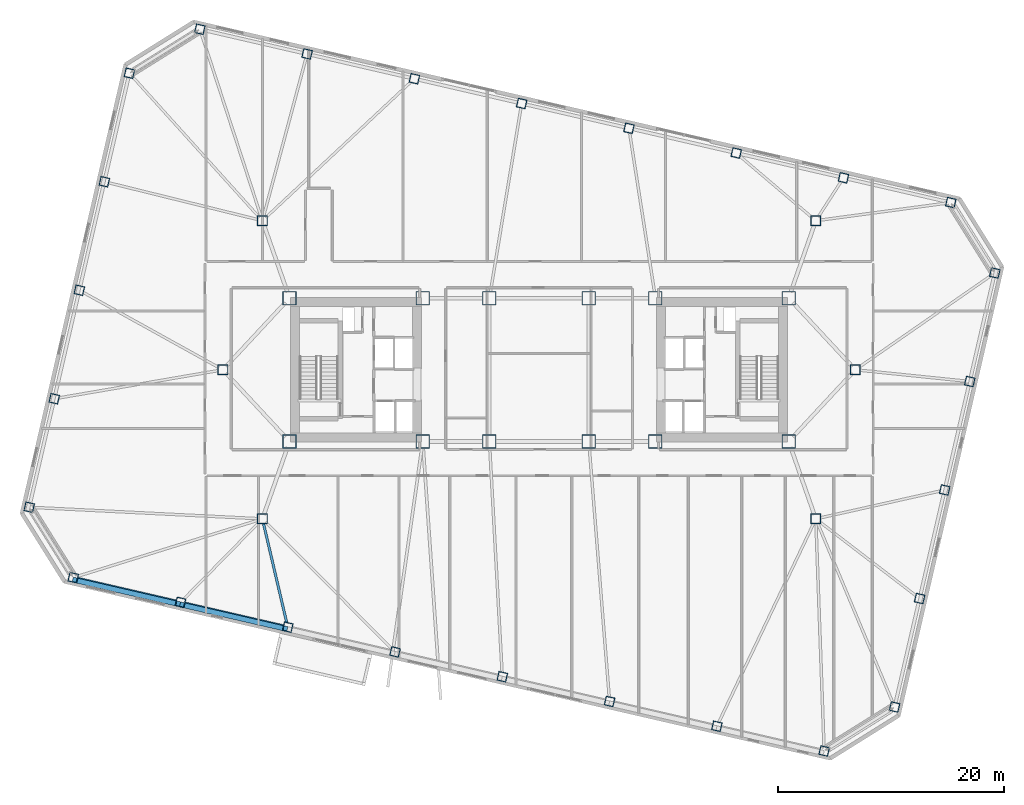
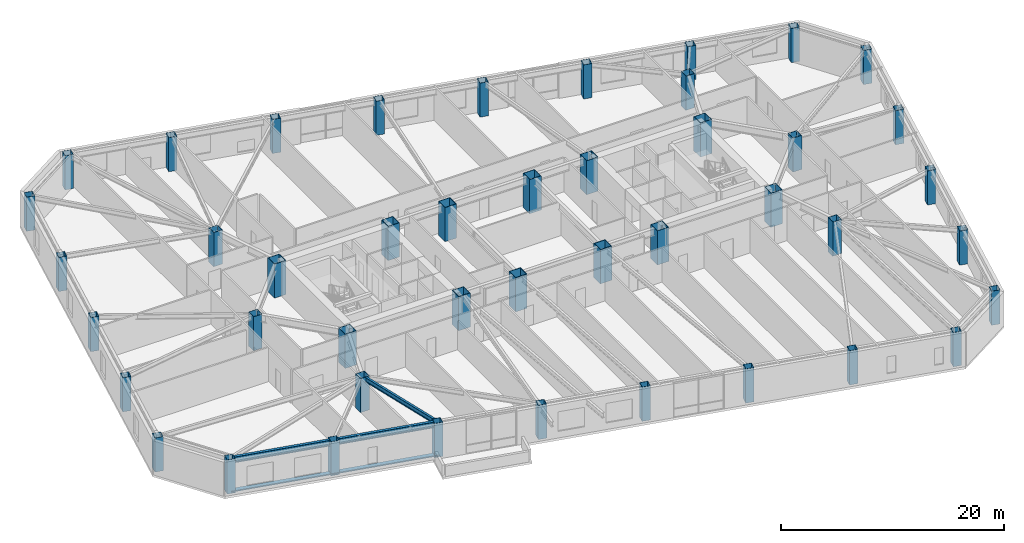
# One storey, part 1 of 22: 44 columns, 3 beams, 2 members.
"""IFC4 building model written with IfcOpenShell, lengths in metres."""

from ifc_helpers import new_model, si_unit, direction, frame, origin, origin_2d, place, context, subcontext, project, spatial, rectangle, hollow_rectangle, i_section, extrude, material, material_profile, profile_set, type_object, element, save


model = new_model("IFC4")

# Units and contexts
model_context = context("Model", 3, precision=1e-05, world=origin(), true_north=direction((0.0, 1.0)))
body_context = subcontext(model_context, "Body", "Model", "MODEL_VIEW")
ifc_project = project(units=[si_unit("LENGTHUNIT", "METRE"), si_unit("AREAUNIT", "SQUARE_METRE"), si_unit("VOLUMEUNIT", "CUBIC_METRE"), si_unit("PLANEANGLEUNIT", "RADIAN"), si_unit("MASSUNIT", "GRAM", prefix="KILO")], contexts=[model_context])

# Site, building, storey
site_placement = place(None, origin())
site = spatial("IfcSite", under=ifc_project, at=site_placement, CompositionType="ELEMENT")
building_placement = place(site_placement, origin())
building = spatial("IfcBuilding", under=site, at=building_placement, Name="Tavrogorsk Clinical Tower", CompositionType="ELEMENT")
storey_placement = place(building_placement, frame((0.0, 0.0, 55.39990234375)))
storey = spatial("IfcBuildingStorey", under=building, at=storey_placement, Name="L11", CompositionType="ELEMENT", Elevation=55.39990234375)

# Columns
ifc_material_1 = material(Name="Structural steel S440", Category="steel")
ifc_material_profile_1 = material_profile(ifc_material_1, hollow_rectangle(XDim=1.199951171875, YDim=1.199951171875, WallThickness=0.050048828125, at=origin_2d()), Name="BOX-1200x1200x50")
ifc_profile_set_1 = profile_set([ifc_material_profile_1], Name="Structural steel S440")
column_type_1 = type_object("IfcColumnType", Name="MegaCol_BOX1200", PredefinedType="COLUMN", material=ifc_profile_set_1)
for number, where, z_axis, x_axis, name in (
    (1, (-22.10009765625, -6.35009765625, 0.0), (0.0, 0.0, 1.0), (1.0, 0.0, 0.0), "L11 Mega Column MC-W1"),
    (2, (-22.10009765625, 6.35009765625, 0.0), (0.0, 0.0, 1.0), (1.0, 0.0, 0.0), "L11 Mega Column MC-W2"),
    (3, (-10.300048828125, -6.35009765625, 0.0), (0.0, 0.0, 1.0), (1.0, 0.0, 0.0), "L11 Mega Column MC-W3"),
    (4, (-10.300048828125, 6.35009765625, 0.0), (0.0, 0.0, 1.0), (1.0, 0.0, 0.0), "L11 Mega Column MC-W4"),
    (5, (10.300048828125, -6.35009765625, 0.0), (0.0, 0.0, 1.0), (1.0, 0.0, 0.0), "L11 Mega Column MC-E1"),
    (6, (10.300048828125, 6.35009765625, 0.0), (0.0, 0.0, 1.0), (1.0, 0.0, 0.0), "L11 Mega Column MC-E2"),
    (7, (22.10009765625, -6.35009765625, 0.0), (0.0, 0.0, 1.0), (1.0, 0.0, 0.0), "L11 Mega Column MC-E3"),
    (8, (22.10009765625, 6.35009765625, 0.0), (0.0, 0.0, 1.0), (1.0, 0.0, 0.0), "L11 Mega Column MC-E4"),
    (9, (-4.39990234375, -6.35009765625, 0.0), (0.0, 0.0, 1.0), (1.0, 0.0, 0.0), "L11 Mega Column MC-C1"),
    (10, (4.39990234375, -6.35009765625, 0.0), (0.0, 0.0, 1.0), (1.0, 0.0, 0.0), "L11 Mega Column MC-C2"),
    (11, (-4.39990234375, 6.35009765625, 0.0), (0.0, 0.0, 1.0), (1.0, 0.0, 0.0), "L11 Mega Column MC-C3"),
    (12, (4.39990234375, 6.35009765625, 0.0), (0.0, 0.0, 1.0), (1.0, 0.0, 0.0), "L11 Mega Column MC-C4"),
):
    element("IfcColumn", number, at=place(storey_placement, frame(where, z_axis=z_axis, x_axis=x_axis)), inside=storey, type_object=column_type_1, Name=name, PredefinedType="COLUMN", context=body_context, shape_type="SweptSolid", body=[
        extrude(hollow_rectangle(XDim=1.199951171875, YDim=1.199951171875, WallThickness=0.050048828125, at=origin_2d()), origin(), (0.0, 0.0, 1.0), 3.739990234375),
    ])
ifc_material_2 = material(Name="Structural steel S440", Category="steel")
ifc_material_profile_2 = material_profile(ifc_material_2, hollow_rectangle(XDim=0.89990234375, YDim=0.89990234375, WallThickness=0.0400390625, at=origin_2d()), Name="BOX-900x900x40")
ifc_profile_set_2 = profile_set([ifc_material_profile_2], Name="Structural steel S440")
column_type_2 = type_object("IfcColumnType", Name="MegaCol_BOX900", PredefinedType="COLUMN", material=ifc_profile_set_2)
for number, where, z_axis, x_axis, name in (
    (13, (-24.5, -13.199951171875, 0.0), (0.0, 0.0, 1.0), (1.0, 0.0, 0.0), "L11 Spine Pilotis Column MC-P1"),
    (14, (24.5, -13.199951171875, 0.0), (0.0, 0.0, 1.0), (1.0, 0.0, 0.0), "L11 Spine Pilotis Column MC-P2"),
    (15, (-24.5, 13.199951171875, 0.0), (0.0, 0.0, 1.0), (1.0, 0.0, 0.0), "L11 Spine Pilotis Column MC-P3"),
    (16, (24.5, 13.199951171875, 0.0), (0.0, 0.0, 1.0), (1.0, 0.0, 0.0), "L11 Spine Pilotis Column MC-P4"),
    (17, (-28.0, 0.0, 0.0), (0.0, 0.0, 1.0), (1.0, 0.0, 0.0), "L11 Spine Pilotis Column MC-P5"),
    (18, (28.0, 0.0, 0.0), (0.0, 0.0, 1.0), (1.0, 0.0, 0.0), "L11 Spine Pilotis Column MC-P6"),
):
    element("IfcColumn", number, at=place(storey_placement, frame(where, z_axis=z_axis, x_axis=x_axis)), inside=storey, type_object=column_type_2, Name=name, PredefinedType="COLUMN", context=body_context, shape_type="SweptSolid", body=[
        extrude(hollow_rectangle(XDim=0.89990234375, YDim=0.89990234375, WallThickness=0.0400390625, at=origin_2d()), origin(), (0.0, 0.0, 1.0), 3.739990234375),
    ])
ifc_material_3 = material(Name="Structural steel S440", Category="steel")
ifc_material_profile_3 = material_profile(ifc_material_3, hollow_rectangle(XDim=0.800048828125, YDim=0.800048828125, WallThickness=0.035888671875, at=origin_2d()), Name="BOX-800x800x36")
ifc_profile_set_3 = profile_set([ifc_material_profile_3], Name="Structural steel S440")
column_type_3 = type_object("IfcColumnType", Name="PerimCol_B1_BOX800", PredefinedType="COLUMN", material=ifc_profile_set_3)
for number, where, z_axis, x_axis, name in (
    (19, (-41.251220703125, -18.406005859375, 0.0), (0.0, 0.0, 1.0), (0.974370064785, -0.224951054344, 0.0), "L11 Perimeter Column S1"),
    (20, (-31.75244140625, -20.598876953125, 0.0), (0.0, 0.0, 1.0), (0.974370064785, -0.224951054344, 0.0), "L11 Perimeter Column S2"),
    (21, (-22.25390625, -22.7919921875, 0.0), (0.0, 0.0, 1.0), (0.974370064785, -0.224951054344, 0.0), "L11 Perimeter Column S3"),
    (22, (-12.755126953125, -24.98486328125, 0.0), (0.0, 0.0, 1.0), (0.974370064785, -0.224951054344, 0.0), "L11 Perimeter Column S4"),
    (23, (-3.25634765625, -27.177734375, 0.0), (0.0, 0.0, 1.0), (0.974370064785, -0.224951054344, 0.0), "L11 Perimeter Column S5"),
    (24, (6.2421875, -29.37060546875, 0.0), (0.0, 0.0, 1.0), (0.974370064785, -0.224951054344, 0.0), "L11 Perimeter Column S6"),
    (25, (15.740966796875, -31.563720703125, 0.0), (0.0, 0.0, 1.0), (0.974370064785, -0.224951054344, 0.0), "L11 Perimeter Column S7"),
    (26, (25.23974609375, -33.756591796875, 0.0), (0.0, 0.0, 1.0), (0.974370064785, -0.224951054344, 0.0), "L11 Perimeter Column S8"),
    (27, (36.451416015625, 14.805908203125, 0.0), (0.0, 0.0, 1.0), (0.974370064785, -0.224951054344, 0.0), "L11 Perimeter Column N1"),
    (28, (26.952392578125, 16.998779296875, 0.0), (0.0, 0.0, 1.0), (0.974370064785, -0.224951054344, 0.0), "L11 Perimeter Column N2"),
    (29, (17.453857421875, 19.19189453125, 0.0), (0.0, 0.0, 1.0), (0.974370064785, -0.224951054344, 0.0), "L11 Perimeter Column N3"),
    (30, (7.955078125, 21.384765625, 0.0), (0.0, 0.0, 1.0), (0.974370064785, -0.224951054344, 0.0), "L11 Perimeter Column N4"),
    (31, (-1.543701171875, 23.577880859375, 0.0), (0.0, 0.0, 1.0), (0.974370064785, -0.224951054344, 0.0), "L11 Perimeter Column N5"),
    (32, (-11.042236328125, 25.770751953125, 0.0), (0.0, 0.0, 1.0), (0.974370064785, -0.224951054344, 0.0), "L11 Perimeter Column N6"),
    (33, (-20.541015625, 27.963623046875, 0.0), (0.0, 0.0, 1.0), (0.974370064785, -0.224951054344, 0.0), "L11 Perimeter Column N7"),
    (34, (-30.039794921875, 30.156494140625, 0.0), (0.0, 0.0, 1.0), (0.974370064785, -0.224951054344, 0.0), "L11 Perimeter Column N8"),
    (35, (31.476318359375, -29.859619140625, 0.0), (0.0, 0.0, 1.0), (0.974370064785, -0.224951054344, 0.0), "L11 Perimeter Column E1"),
    (36, (33.694091796875, -20.25244140625, 0.0), (0.0, 0.0, 1.0), (0.974370064785, -0.224951054344, 0.0), "L11 Perimeter Column E2"),
    (37, (35.912109375, -10.64501953125, 0.0), (0.0, 0.0, 1.0), (0.974370064785, -0.224951054344, 0.0), "L11 Perimeter Column E3"),
    (38, (38.130126953125, -1.037841796875, 0.0), (0.0, 0.0, 1.0), (0.974370064785, -0.224951054344, 0.0), "L11 Perimeter Column E4"),
    (39, (40.348388671875, 8.569580078125, 0.0), (0.0, 0.0, 1.0), (0.974370064785, -0.224951054344, 0.0), "L11 Perimeter Column E5"),
    (40, (-36.276123046875, 26.259765625, 0.0), (0.0, 0.0, 1.0), (0.974370064785, -0.224951054344, 0.0), "L11 Perimeter Column W1"),
    (41, (-38.494140625, 16.65234375, 0.0), (0.0, 0.0, 1.0), (0.974370064785, -0.224951054344, 0.0), "L11 Perimeter Column W2"),
    (42, (-40.712158203125, 7.045166015625, 0.0), (0.0, 0.0, 1.0), (0.974370064785, -0.224951054344, 0.0), "L11 Perimeter Column W3"),
    (43, (-42.93017578125, -2.562255859375, 0.0), (0.0, 0.0, 1.0), (0.974370064785, -0.224951054344, 0.0), "L11 Perimeter Column W4"),
    (44, (-45.148193359375, -12.16943359375, 0.0), (0.0, 0.0, 1.0), (0.974370064785, -0.224951054344, 0.0), "L11 Perimeter Column W5"),
):
    element("IfcColumn", number, at=place(storey_placement, frame(where, z_axis=z_axis, x_axis=x_axis)), inside=storey, type_object=column_type_3, Name=name, PredefinedType="COLUMN", context=body_context, shape_type="SweptSolid", body=[
        extrude(hollow_rectangle(XDim=0.800048828125, YDim=0.800048828125, WallThickness=0.035888671875, at=origin_2d()), origin(), (0.0, 0.0, 1.0), 3.739990234375),
    ])

# Members
ifc_material_4 = material(Name="Anodised aluminium alloy AW-6063", Category="aluminium")
ifc_material_profile_4 = material_profile(ifc_material_4, rectangle(XDim=0.449951171875, YDim=0.1201171875, at=origin_2d()), Name="ALU-SUNSHADE-450x120")
ifc_profile_set_4 = profile_set([ifc_material_profile_4], Name="Anodised aluminium alloy AW-6063")
member_type = type_object("IfcMemberType", Name="ChicagoSunshade_450x120", PredefinedType="USERDEFINED", material=ifc_profile_set_4)
member_1_placement = place(storey_placement, frame((-41.291748046875, -18.581298828125, 0.18017578125), z_axis=(0.974366709214, -0.224965588425, 0.0), x_axis=(0.224965588425, 0.974366709214, 0.0)))
element("IfcMember", 45, at=member_1_placement, inside=storey, type_object=member_type, Name="L11 South Aluminium Sunshade S1", ObjectType="SUNSHADE", PredefinedType="USERDEFINED", context=body_context, shape_type="SweptSolid", body=[
    extrude(rectangle(XDim=0.449951171875, YDim=0.1201171875, at=origin_2d()), origin(), (0.0, 0.0, 1.0), 9.748779296875),
])
member_2_placement = place(storey_placement, frame((-31.79296875, -20.7744140625, 0.18017578125), z_axis=(0.974370931236, -0.2249473013, 0.0), x_axis=(0.2249473013, 0.974370931236, 0.0)))
element("IfcMember", 46, at=member_2_placement, inside=storey, type_object=member_type, Name="L11 South Aluminium Sunshade S2", ObjectType="SUNSHADE", PredefinedType="USERDEFINED", context=body_context, shape_type="SweptSolid", body=[
    extrude(rectangle(XDim=0.449951171875, YDim=0.1201171875, at=origin_2d()), origin(), (0.0, 0.0, 1.0), 9.748291015625),
])

# Beams
ifc_material_5 = material(Name="Structural steel S355", Category="steel")
ifc_material_profile_5 = material_profile(ifc_material_5, i_section(OverallWidth=0.219970703125, OverallDepth=0.5, WebThickness=0.012939453125, FlangeThickness=0.02001953125, at=origin_2d()), Name="B-500x220x13x20")
ifc_profile_set_5 = profile_set([ifc_material_profile_5], Name="Structural steel S355")
beam_type_1 = type_object("IfcBeamType", Name="FloorBeam_B500", PredefinedType="BEAM", material=ifc_profile_set_5)
beam_placement = place(storey_placement, frame((-24.406494140625, -13.59912109375, 3.489990234375), z_axis=(0.227996771429, -0.973661888038, 0.0), x_axis=(0.973661888038, 0.227996771429, 0.0)))
element("IfcBeam", 47, at=beam_placement, inside=storey, type_object=beam_type_1, Name="L11 Radial Floor Beam S3", PredefinedType="BEAM", context=body_context, shape_type="SweptSolid", body=[
    extrude(i_section(OverallWidth=0.219970703125, OverallDepth=0.5, WebThickness=0.012939453125, FlangeThickness=0.02001953125, at=origin_2d()), origin(), (0.0, 0.0, 1.0), 9.033447265625),
])
ifc_material_6 = material(Name="Structural steel S390", Category="steel")
ifc_material_profile_6 = material_profile(ifc_material_6, i_section(OverallWidth=0.280029296875, OverallDepth=0.64990234375, WebThickness=0.01611328125, FlangeThickness=0.02490234375, at=origin_2d()), Name="B-650x280x16x25")
ifc_profile_set_6 = profile_set([ifc_material_profile_6], Name="Structural steel S390")
beam_type_2 = type_object("IfcBeamType", Name="SpandrelBeam_B650", PredefinedType="SPANDREL", material=ifc_profile_set_6)
for number, where, z_axis, x_axis, name in (
    (48, (-40.853759765625, -18.497802734375, 3.4150390625), (0.974372766602, -0.224939351168, 0.0), (0.224939351168, 0.974372766602, 0.0), "L11 Perimeter Spandrel S1-S2"),
    (49, (-31.35498046875, -20.690673828125, 3.4150390625), (0.974366775889, -0.224965299645, 0.0), (0.224965299645, 0.974366775889, 0.0), "L11 Perimeter Spandrel S2-S3"),
):
    element("IfcBeam", number, at=place(storey_placement, frame(where, z_axis=z_axis, x_axis=x_axis)), inside=storey, type_object=beam_type_2, Name=name, PredefinedType="SPANDREL", context=body_context, shape_type="SweptSolid", body=[
        extrude(i_section(OverallWidth=0.280029296875, OverallDepth=0.64990234375, WebThickness=0.01611328125, FlangeThickness=0.02490234375, at=origin_2d()), origin(), (0.0, 0.0, 1.0), 8.9326171875),
    ])

save(model, "model.ifc")
